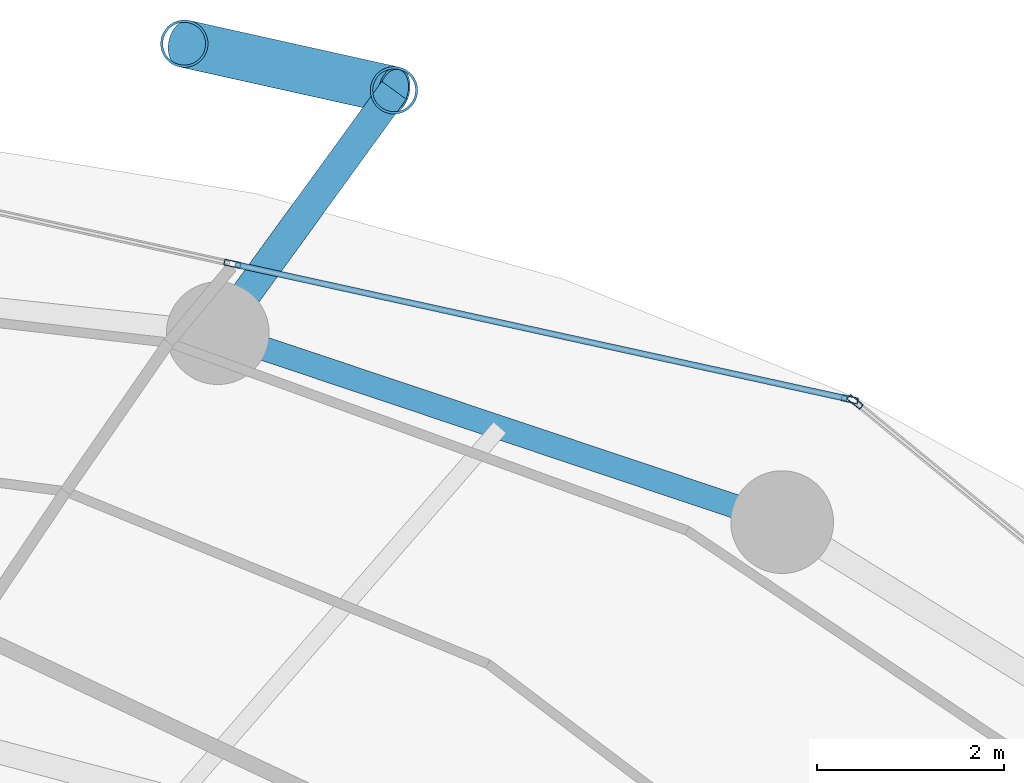
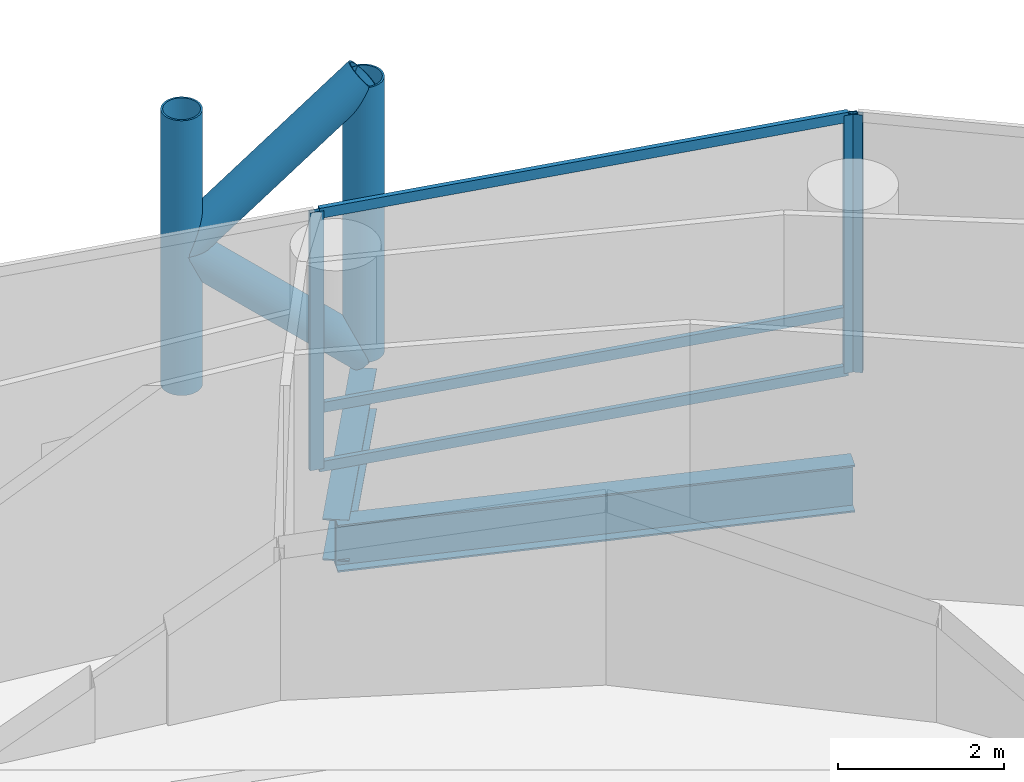
# One storey, part 18 of 26: 10 members, 2 beams, 2 elements without a shape of their own.
"""IFC4 building model written with IfcOpenShell, lengths in metres."""

import ifcopenshell
import ifcopenshell.guid

model = None  # the IFC model being written
_history = None  # IfcOwnerHistory: only IFC2X3 demands one
_inside = {}  # id of a spatial element -> (the spatial element, [elements in it])
_under = {}  # id of a project, library or spatial element -> (it, [spatial elements below it])
_declared = {}  # id of a project -> (the project, [libraries it declares])
_typed = {}  # id of a type object -> (the type object, [elements of that type])
_made_of = {}  # id of a material, layer set ... -> (it, [elements and type objects made of it])


def new_model(schema):
    """Start an empty IFC model of exactly this schema.

    Asked for "IFC4X3", IfcOpenShell would pick the latest addendum, in which some entities
    have other attributes; the version numbers below select the first issue.
    IFC2X3 requires an IfcOwnerHistory on every rooted entity: one is made here for all.
    """
    global model, _history
    if schema == "IFC4X3":
        model = ifcopenshell.file(schema_version=(4, 3, 0, 0))
    else:
        model = ifcopenshell.file(schema=schema)
    _inside.clear()
    _under.clear()
    _declared.clear()
    _typed.clear()
    _made_of.clear()
    _history = None
    if model.schema == "IFC2X3":
        org = make("IfcOrganization", Name="unknown")
        user = make(
            "IfcPersonAndOrganization",
            ThePerson=make("IfcPerson", FamilyName="unknown"),
            TheOrganization=org,
        )
        app = make(
            "IfcApplication",
            ApplicationDeveloper=org,
            Version="unknown",
            ApplicationFullName="unknown",
            ApplicationIdentifier="unknown",
        )
        _history = make(
            "IfcOwnerHistory",
            OwningUser=user,
            OwningApplication=app,
            ChangeAction="ADDED",
            CreationDate=0,
        )
    return model


def make(cls, **values):
    """One entity of the class cls with the attributes given. An attribute that is None is left unset."""
    return model.create_entity(
        cls, **{name: value for name, value in values.items() if value is not None}
    )


def rooted(cls, **values):
    """An entity with a GlobalId (a new one), such as an element, a storey or a relation."""
    return make(cls, GlobalId=ifcopenshell.guid.new(), OwnerHistory=_history, **values)


def si_unit(unit_type, name, prefix=None):
    """IfcSIUnit, for example si_unit("LENGTHUNIT", "METRE", prefix="MILLI")."""
    return make("IfcSIUnit", UnitType=unit_type, Prefix=prefix, Name=name)


def assignment(units):
    """IfcUnitAssignment: the units of a project."""
    return None if units is None else make("IfcUnitAssignment", Units=units)


def point(xyz):
    """IfcCartesianPoint."""
    return None if xyz is None else make("IfcCartesianPoint", Coordinates=xyz)


def direction(xyz):
    """IfcDirection."""
    return None if xyz is None else make("IfcDirection", DirectionRatios=xyz)


def frame(location, z_axis=None, x_axis=None):
    """IfcAxis2Placement3D, a coordinate frame: its origin and axes. An axis left out is left unset."""
    return make(
        "IfcAxis2Placement3D",
        Location=point(location),
        Axis=direction(z_axis),
        RefDirection=direction(x_axis),
    )


def frame_2d(location, x_axis=None):
    """IfcAxis2Placement2D, a coordinate frame in the plane: its origin and x axis."""
    return make(
        "IfcAxis2Placement2D", Location=point(location), RefDirection=direction(x_axis)
    )


def origin():
    """The frame at (0, 0, 0) with its axes left unset."""
    return frame((0.0, 0.0, 0.0))


def origin_2d():
    """The frame at (0, 0) in the plane with its x axis left unset."""
    return frame_2d((0.0, 0.0))


def place(relative_to, where):
    """IfcLocalPlacement: puts the frame where relative to a parent placement (None: the world)."""
    return make(
        "IfcLocalPlacement", PlacementRelTo=relative_to, RelativePlacement=where
    )


def context(
    kind, dimensions, precision=None, world=None, true_north=None, identifier=None
):
    """IfcGeometricRepresentationContext, for example the 3D "Model" context."""
    return make(
        "IfcGeometricRepresentationContext",
        ContextIdentifier=identifier,
        ContextType=kind,
        CoordinateSpaceDimension=dimensions,
        Precision=precision,
        WorldCoordinateSystem=world,
        TrueNorth=true_north,
    )


def subcontext(parent, identifier, kind, view, scale=None):
    """IfcGeometricRepresentationSubContext, for example "Body" below "Model"."""
    return make(
        "IfcGeometricRepresentationSubContext",
        ContextIdentifier=identifier,
        ContextType=kind,
        ParentContext=parent,
        TargetScale=scale,
        TargetView=view,
    )


def project(units=None, contexts=None):
    """IfcProject with its units and contexts."""
    return rooted(
        "IfcProject",
        Name="project",
        RepresentationContexts=contexts,
        UnitsInContext=assignment(units),
    )


def spatial(cls, under=None, at=None, **own):
    """A site, building, storey or space (cls), placed at a placement, below another one or the project."""
    s = rooted(cls, ObjectPlacement=at, **own)
    if under is not None:
        _under.setdefault(under.id(), (under, []))[1].append(s)
    return s


def profile(cls, at=None, kind="AREA", **sizes):
    """A parametric profile (cls). Its sizes go by their IFC names, for example OverallWidth=200.0."""
    return make(cls, ProfileType=kind, Position=at, **sizes)


def hollow_rectangle(**sizes):
    """IfcRectangleHollowProfileDef."""
    return profile("IfcRectangleHollowProfileDef", **sizes)


def hollow_circle(**sizes):
    """IfcCircleHollowProfileDef."""
    return profile("IfcCircleHollowProfileDef", **sizes)


def i_section(**sizes):
    """IfcIShapeProfileDef."""
    return profile("IfcIShapeProfileDef", **sizes)


def extrude(swept, where, along, depth):
    """IfcExtrudedAreaSolid: the profile swept, set in the frame where, extruded along a direction by depth."""
    return make(
        "IfcExtrudedAreaSolid",
        SweptArea=swept,
        Position=where,
        ExtrudedDirection=direction(along),
        Depth=depth,
    )


def shape(context_of_items, identifier, shape_type, items):
    """IfcShapeRepresentation: the items that make up one representation, for example the "Body"."""
    return make(
        "IfcShapeRepresentation",
        ContextOfItems=context_of_items,
        RepresentationIdentifier=identifier,
        RepresentationType=shape_type,
        Items=items,
    )


def material(Name=None, Category=None):
    """IfcMaterial."""
    return make("IfcMaterial", Name=Name, Category=Category)


def layer(
    of_material, thickness, ventilated=None, Name=None, Category=None, Priority=None
):
    """IfcMaterialLayer: one layer of a wall or slab, of a material (None: an air gap)."""
    return make(
        "IfcMaterialLayer",
        Material=of_material,
        LayerThickness=thickness,
        IsVentilated=ventilated,
        Name=Name,
        Category=Category,
        Priority=Priority,
    )


def layer_set(layers, Name=None):
    """IfcMaterialLayerSet."""
    return make("IfcMaterialLayerSet", MaterialLayers=layers, LayerSetName=Name)


def material_profile(
    of_material, cross_section, Name=None, Category=None, Priority=None
):
    """IfcMaterialProfile: a cross section and its material."""
    return make(
        "IfcMaterialProfile",
        Name=Name,
        Material=of_material,
        Profile=cross_section,
        Priority=Priority,
        Category=Category,
    )


def profile_set(profiles, Name=None, composite=None):
    """IfcMaterialProfileSet."""
    return make(
        "IfcMaterialProfileSet",
        Name=Name,
        MaterialProfiles=profiles,
        CompositeProfile=composite,
    )


def made_of(thing, what):
    """Note that an element or type object is made of a material, layer set ...; save() writes the relation."""
    if what is not None:
        _made_of.setdefault(what.id(), (what, []))[1].append(thing)
    return thing


def type_object(cls, material=None, **own):
    """A type object (cls), such as IfcWallType, which elements share."""
    return made_of(rooted(cls, **own), material)


def element(
    cls,
    number,
    at=None,
    inside=None,
    cuts=None,
    type_object=None,
    material=None,
    context=None,
    identifier="Body",
    shape_type=None,
    held_by="IfcProductDefinitionShape",
    body=None,
    shapes=None,
    **own,
):
    """One element of the class cls, such as IfcWall. Its Tag is "e" and its number.

    at: its placement. inside: the storey or other place that contains it. cuts: it is an
    opening in that element (IfcRelVoidsElement). A single representation is given by context,
    identifier, shape_type and body (its items); several are given by shapes. held_by: the class
    of the entity that holds the representations. save() writes the other relations.
    """
    e = rooted(cls, Tag="e%d" % number, ObjectPlacement=at, **own)
    if body is not None:
        shapes = [shape(context, identifier, shape_type, body)]
    if shapes is not None:
        e.Representation = make(held_by, Representations=shapes)
    if inside is not None:
        _inside.setdefault(inside.id(), (inside, []))[1].append(e)
    if cuts is not None:
        rooted(
            "IfcRelVoidsElement", RelatingBuildingElement=cuts, RelatedOpeningElement=e
        )
    if type_object is not None:
        _typed.setdefault(type_object.id(), (type_object, []))[1].append(e)
    return made_of(e, material)


def aggregate(whole, parts):
    """IfcRelAggregates: a whole, such as a stair, and the parts it consists of."""
    return rooted("IfcRelAggregates", RelatingObject=whole, RelatedObjects=parts)


def save(model, path):
    """Write the relations noted so far, then the file.

    IfcRelAggregates (storeys below a building ...), IfcRelContainedInSpatialStructure (elements
    in a storey), IfcRelDefinesByType, IfcRelAssociatesMaterial and IfcRelDeclares: one each for
    every whole, place, type object, material and project.
    """
    for whole, parts in _under.values():
        aggregate(whole, parts)
    for where, things in _inside.values():
        rooted(
            "IfcRelContainedInSpatialStructure",
            RelatedElements=things,
            RelatingStructure=where,
        )
    for kind, things in _typed.values():
        rooted("IfcRelDefinesByType", RelatedObjects=things, RelatingType=kind)
    for what, things in _made_of.values():
        rooted("IfcRelAssociatesMaterial", RelatedObjects=things, RelatingMaterial=what)
    for by, libraries in _declared.values():
        rooted("IfcRelDeclares", RelatingContext=by, RelatedDefinitions=libraries)
    model.write(path)


model = new_model("IFC4")

# Units and contexts
model_context = context("Model", 3, precision=1e-05, world=origin(), true_north=direction((0.0, 1.0)))
body_context = subcontext(model_context, "Body", "Model", "MODEL_VIEW")
ifc_project = project(units=[si_unit("LENGTHUNIT", "METRE"), si_unit("AREAUNIT", "SQUARE_METRE"), si_unit("VOLUMEUNIT", "CUBIC_METRE"), si_unit("PLANEANGLEUNIT", "RADIAN"), si_unit("MASSUNIT", "GRAM", prefix="KILO")], contexts=[model_context])

# Site, building, storey
site_placement = place(None, origin())
site = spatial("IfcSite", under=ifc_project, at=site_placement, CompositionType="ELEMENT")
building_placement = place(site_placement, origin())
building = spatial("IfcBuilding", under=site, at=building_placement, Name="Nuhasar Tower", CompositionType="ELEMENT")
storey_placement = place(building_placement, frame((0.0, 0.0, 93.89990234375)))
storey = spatial("IfcBuildingStorey", under=building, at=storey_placement, Name="L22", CompositionType="ELEMENT", Elevation=93.89990234375)

# Beams
ifc_material_1 = material(Name="Steel S355", Category="steel")
ifc_material_profile_1 = material_profile(ifc_material_1, i_section(OverallWidth=0.256103515625, OverallDepth=0.693115234375, WebThickness=0.014404296875, FlangeThickness=0.023681640625, at=origin_2d()), Name="W27X114")
ifc_profile_set_1 = profile_set([ifc_material_profile_1], Name="Steel S355")
beam_type_1 = type_object("IfcBeamType", Name="BM-RING-W27X114", PredefinedType="SPANDREL", material=ifc_profile_set_1)
beam_1_placement = place(storey_placement, frame((51.52490234375, 44.3369140625, -0.596923828125), z_axis=(-0.948249435708, 0.317526388949, 0.0), x_axis=(-0.317526388949, -0.948249435708, 0.0)))
element("IfcBeam", 1, at=beam_1_placement, inside=storey, type_object=beam_type_1, Name="L22 Perimeter Ring Spandrel 05", PredefinedType="SPANDREL", context=body_context, shape_type="SweptSolid", body=[
    extrude(i_section(OverallWidth=0.256103515625, OverallDepth=0.693115234375, WebThickness=0.014404296875, FlangeThickness=0.023681640625, at=origin_2d()), origin(), (0.0, 0.0, 1.0), 6.371826171875),
])
ifc_material_profile_2 = material_profile(ifc_material_1, i_section(OverallWidth=0.323974609375, OverallDepth=0.611083984375, WebThickness=0.0126953125, FlangeThickness=0.01904296875, at=origin_2d()), Name="W24X104")
ifc_profile_set_2 = profile_set([ifc_material_profile_2], Name="Steel S355")
beam_type_2 = type_object("IfcBeamType", Name="BM-TIE-W24X104", PredefinedType="BEAM", material=ifc_profile_set_2)
beam_2_placement = place(storey_placement, frame((45.48291015625, 46.360107421875, -0.554931640625), z_axis=(0.587439442414, 0.809268127073, 0.0), x_axis=(-0.809268127073, 0.587439442414, 0.0)))
element("IfcBeam", 2, at=beam_2_placement, inside=storey, type_object=beam_type_2, Name="L22 Exoskeleton Node Tie Beam 03", PredefinedType="BEAM", context=body_context, shape_type="SweptSolid", body=[
    extrude(i_section(OverallWidth=0.323974609375, OverallDepth=0.611083984375, WebThickness=0.0126953125, FlangeThickness=0.01904296875, at=origin_2d()), origin(), (0.0, 0.0, 1.0), 3.212646484375),
])

# Curtain wall, member
ifc_material_2 = material(Name="Aluminium 6063-T6", Category="aluminium")
ifc_layer = layer(ifc_material_2, 0.199951171875)
ifc_layer_set = layer_set([ifc_layer], Name="Aluminium 6063-T6")
curtain_wall_type = type_object("IfcCurtainWallType", Name="CW-Z1-OFF", PredefinedType="NOTDEFINED", material=ifc_layer_set)
curtain_wall_1_placement = place(storey_placement, origin())
curtain_wall_1 = element("IfcCurtainWall", 3, at=curtain_wall_1_placement, inside=storey, type_object=curtain_wall_type, Name="L22 Unitised Curtain Wall 02", PredefinedType="NOTDEFINED")
ifc_material_profile_3 = material_profile(ifc_material_2, hollow_rectangle(XDim=0.06494140625, YDim=0.179931640625, WallThickness=0.0048828125, at=origin_2d()), Name="CWM-2")
ifc_profile_set_3 = profile_set([ifc_material_profile_3], Name="Aluminium 6063-T6")
member_type_1 = type_object("IfcMemberType", Name="CW-MUL-S2", PredefinedType="MULLION", material=ifc_profile_set_3)
member_1_placement = place(storey_placement, frame((52.30517578125, 45.62451171875, 0.0), z_axis=(0.0, 0.0, 1.0), x_axis=(-0.633744593376, -0.773542364946, 0.0)))
member_1 = element("IfcMember", 4, at=member_1_placement, type_object=member_type_1, Name="CW-Z1 mullion 2", PredefinedType="MULLION", context=body_context, shape_type="SweptSolid", body=[
    extrude(hollow_rectangle(XDim=0.06494140625, YDim=0.179931640625, WallThickness=0.0048828125, at=origin_2d()), origin(), (0.0, 0.0, 1.0), 3.800048828125),
])
aggregate(curtain_wall_1, [member_1])

# Curtain wall, members
curtain_wall_2_placement = place(storey_placement, origin())
curtain_wall_2 = element("IfcCurtainWall", 5, at=curtain_wall_2_placement, inside=storey, type_object=curtain_wall_type, Name="L22 Unitised Curtain Wall 03", PredefinedType="NOTDEFINED")
member_2_placement = place(storey_placement, frame((52.248291015625, 45.65185546875, 0.0), z_axis=(0.0, 0.0, 1.0), x_axis=(-0.214398737637, -0.976746221544, 0.0)))
member_2 = element("IfcMember", 6, at=member_2_placement, type_object=member_type_1, Name="CW-Z1 mullion 1", PredefinedType="MULLION", context=body_context, shape_type="SweptSolid", body=[
    extrude(hollow_rectangle(XDim=0.06494140625, YDim=0.179931640625, WallThickness=0.0048828125, at=origin_2d()), origin(), (0.0, 0.0, 1.0), 3.800048828125),
])
member_3_placement = place(storey_placement, frame((45.639892578125, 47.1025390625, 0.0), z_axis=(0.0, 0.0, 1.0), x_axis=(-0.214398737637, -0.976746221544, 0.0)))
member_3 = element("IfcMember", 7, at=member_3_placement, type_object=member_type_1, Name="CW-Z1 mullion 2", PredefinedType="MULLION", context=body_context, shape_type="SweptSolid", body=[
    extrude(hollow_rectangle(XDim=0.06494140625, YDim=0.179931640625, WallThickness=0.0048828125, at=origin_2d()), origin(), (0.0, 0.0, 1.0), 3.800048828125),
])
ifc_material_profile_4 = material_profile(ifc_material_2, hollow_rectangle(XDim=0.06494140625, YDim=0.14990234375, WallThickness=0.00439453125, at=origin_2d()), Name="CWT-2")
ifc_profile_set_4 = profile_set([ifc_material_profile_4], Name="Aluminium 6063-T6")
member_type_2 = type_object("IfcMemberType", Name="CW-TRN-S2", PredefinedType="USERDEFINED", material=ifc_profile_set_4)
member_4_placement = place(storey_placement, frame((52.216552734375, 45.658935546875, 0.03271484375), z_axis=(-0.976749553792, 0.214383556196, 0.0), x_axis=(-0.214383556196, -0.976749553792, 0.0)))
member_4 = element("IfcMember", 8, at=member_4_placement, type_object=member_type_2, Name="CW-Z1 transom 1.1", ObjectType="TRANSOM", PredefinedType="USERDEFINED", context=body_context, shape_type="SweptSolid", body=[
    extrude(hollow_rectangle(XDim=0.06494140625, YDim=0.14990234375, WallThickness=0.00439453125, at=origin_2d()), origin(), (0.0, 0.0, 1.0), 6.70068359375),
])
member_5_placement = place(storey_placement, frame((52.216552734375, 45.658935546875, 0.900146484375), z_axis=(-0.976749553792, 0.214383556196, 0.0), x_axis=(-0.214383556196, -0.976749553792, 0.0)))
member_5 = element("IfcMember", 9, at=member_5_placement, type_object=member_type_2, Name="CW-Z1 transom 1.2", ObjectType="TRANSOM", PredefinedType="USERDEFINED", context=body_context, shape_type="SweptSolid", body=[
    extrude(hollow_rectangle(XDim=0.06494140625, YDim=0.14990234375, WallThickness=0.00439453125, at=origin_2d()), origin(), (0.0, 0.0, 1.0), 6.70068359375),
])
member_6_placement = place(storey_placement, frame((52.216552734375, 45.658935546875, 3.767578125), z_axis=(-0.976749553792, 0.214383556196, 0.0), x_axis=(-0.214383556196, -0.976749553792, 0.0)))
member_6 = element("IfcMember", 10, at=member_6_placement, type_object=member_type_2, Name="CW-Z1 transom 1.3", ObjectType="TRANSOM", PredefinedType="USERDEFINED", context=body_context, shape_type="SweptSolid", body=[
    extrude(hollow_rectangle(XDim=0.06494140625, YDim=0.14990234375, WallThickness=0.00439453125, at=origin_2d()), origin(), (0.0, 0.0, 1.0), 6.70068359375),
])
aggregate(curtain_wall_2, [member_2, member_3, member_4, member_5, member_6])

# Members
ifc_material_3 = material(Name="Steel S460", Category="steel")
ifc_material_profile_5 = material_profile(ifc_material_3, hollow_circle(Radius=0.25390625, WallThickness=0.025390625, at=origin_2d()), Name="HSS508X25.4")
ifc_profile_set_5 = profile_set([ifc_material_profile_5], Name="Steel S460")
member_type_3 = type_object("IfcMemberType", Name="EXO-BRONZE-508", PredefinedType="BRACE", material=ifc_profile_set_5)
for number, where, z_axis, x_axis, name in (
    (11, (47.3701171875, 48.9599609375, 0.0), (0.0, 0.0, 1.0), (1.0, 0.0, 0.0), "L22 Exoskeleton Chord Column EC-03A"),
    (12, (45.1240234375, 49.458984375, 0.0), (0.0, 0.0, 1.0), (1.0, 0.0, 0.0), "L22 Exoskeleton Chord Column EC-03B"),
):
    element("IfcMember", number, at=place(storey_placement, frame(where, z_axis=z_axis, x_axis=x_axis)), inside=storey, type_object=member_type_3, Name=name, PredefinedType="BRACE", context=body_context, shape_type="SweptSolid", body=[
        extrude(hollow_circle(Radius=0.25390625, WallThickness=0.025390625, at=origin_2d()), origin(), (0.0, 0.0, 1.0), 4.050048828125),
    ])
member_7_placement = place(storey_placement, frame((47.3701171875, 48.9599609375, 0.0), z_axis=(-0.732782908552, 0.162805246204, 0.660699372439), x_axis=(-0.216885517571, -0.97619704582, 0.0)))
element("IfcMember", 13, at=member_7_placement, inside=storey, type_object=member_type_3, Name="L22 Bronze Diagrid Brace W1-03", PredefinedType="BRACE", context=body_context, shape_type="SweptSolid", body=[
    extrude(hollow_circle(Radius=0.25390625, WallThickness=0.025390625, at=origin_2d()), origin(), (0.0, 0.0, 1.0), 3.065185546875),
])
member_8_placement = place(storey_placement, frame((45.1240234375, 49.458984375, 2.025146484375), z_axis=(0.732821471909, -0.162813813976, 0.660654487828), x_axis=(0.216885517571, 0.97619704582, 0.0)))
element("IfcMember", 14, at=member_8_placement, inside=storey, type_object=member_type_3, Name="L22 Bronze Diagrid Brace W2-03", PredefinedType="BRACE", context=body_context, shape_type="SweptSolid", body=[
    extrude(hollow_circle(Radius=0.25390625, WallThickness=0.025390625, at=origin_2d()), origin(), (0.0, 0.0, 1.0), 3.06494140625),
])

save(model, "model.ifc")
